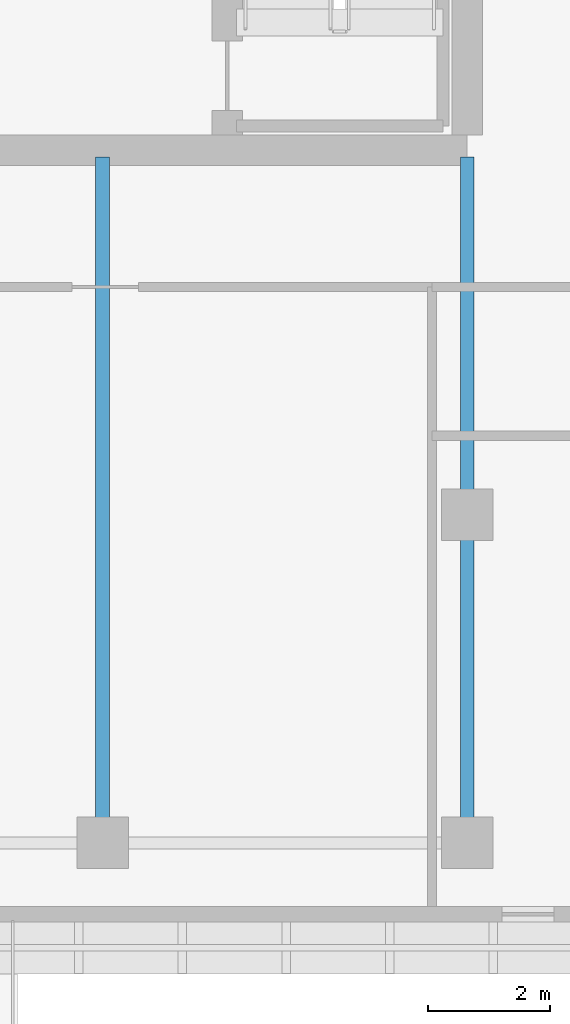
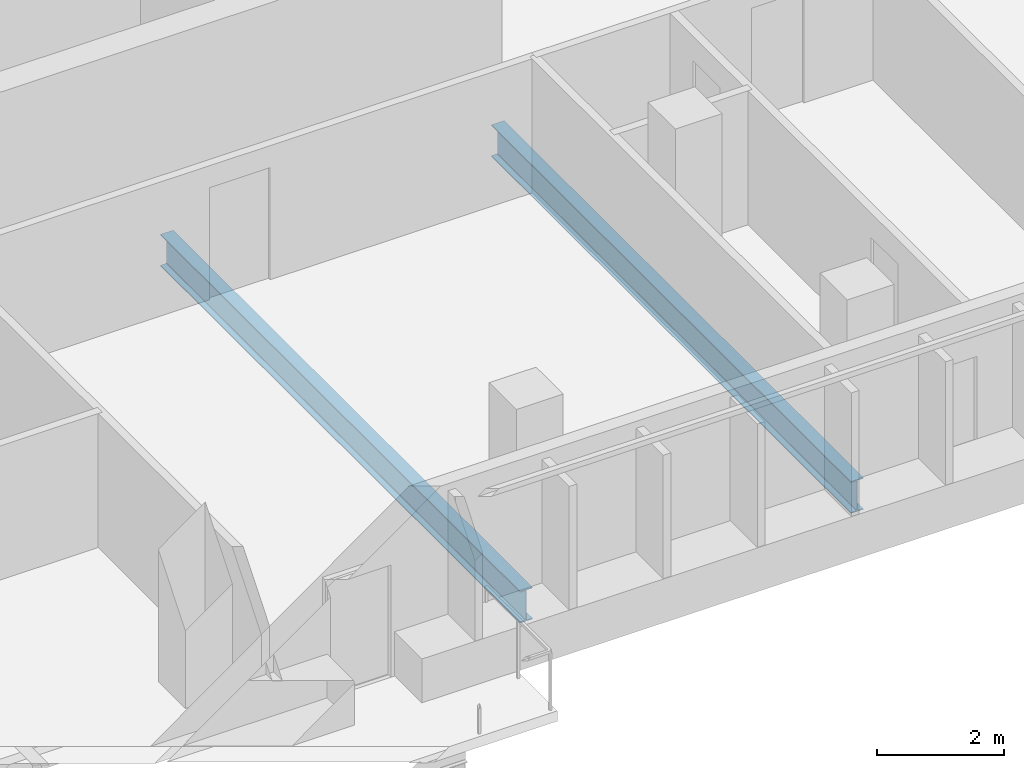
# One storey, part 14 of 31: 2 beams.
"""IFC4 building model written with IfcOpenShell, lengths in metres."""

import ifcopenshell
import ifcopenshell.guid

model = None  # the IFC model being written
_history = None  # IfcOwnerHistory: only IFC2X3 demands one
_inside = {}  # id of a spatial element -> (the spatial element, [elements in it])
_under = {}  # id of a project, library or spatial element -> (it, [spatial elements below it])
_declared = {}  # id of a project -> (the project, [libraries it declares])
_typed = {}  # id of a type object -> (the type object, [elements of that type])
_made_of = {}  # id of a material, layer set ... -> (it, [elements and type objects made of it])


def new_model(schema):
    """Start an empty IFC model of exactly this schema.

    Asked for "IFC4X3", IfcOpenShell would pick the latest addendum, in which some entities
    have other attributes; the version numbers below select the first issue.
    IFC2X3 requires an IfcOwnerHistory on every rooted entity: one is made here for all.
    """
    global model, _history
    if schema == "IFC4X3":
        model = ifcopenshell.file(schema_version=(4, 3, 0, 0))
    else:
        model = ifcopenshell.file(schema=schema)
    _inside.clear()
    _under.clear()
    _declared.clear()
    _typed.clear()
    _made_of.clear()
    _history = None
    if model.schema == "IFC2X3":
        org = make("IfcOrganization", Name="unknown")
        user = make(
            "IfcPersonAndOrganization",
            ThePerson=make("IfcPerson", FamilyName="unknown"),
            TheOrganization=org,
        )
        app = make(
            "IfcApplication",
            ApplicationDeveloper=org,
            Version="unknown",
            ApplicationFullName="unknown",
            ApplicationIdentifier="unknown",
        )
        _history = make(
            "IfcOwnerHistory",
            OwningUser=user,
            OwningApplication=app,
            ChangeAction="ADDED",
            CreationDate=0,
        )
    return model


def make(cls, **values):
    """One entity of the class cls with the attributes given. An attribute that is None is left unset."""
    return model.create_entity(
        cls, **{name: value for name, value in values.items() if value is not None}
    )


def rooted(cls, **values):
    """An entity with a GlobalId (a new one), such as an element, a storey or a relation."""
    return make(cls, GlobalId=ifcopenshell.guid.new(), OwnerHistory=_history, **values)


def si_unit(unit_type, name, prefix=None):
    """IfcSIUnit, for example si_unit("LENGTHUNIT", "METRE", prefix="MILLI")."""
    return make("IfcSIUnit", UnitType=unit_type, Prefix=prefix, Name=name)


def assignment(units):
    """IfcUnitAssignment: the units of a project."""
    return None if units is None else make("IfcUnitAssignment", Units=units)


def point(xyz):
    """IfcCartesianPoint."""
    return None if xyz is None else make("IfcCartesianPoint", Coordinates=xyz)


def direction(xyz):
    """IfcDirection."""
    return None if xyz is None else make("IfcDirection", DirectionRatios=xyz)


def frame(location, z_axis=None, x_axis=None):
    """IfcAxis2Placement3D, a coordinate frame: its origin and axes. An axis left out is left unset."""
    return make(
        "IfcAxis2Placement3D",
        Location=point(location),
        Axis=direction(z_axis),
        RefDirection=direction(x_axis),
    )


def frame_2d(location, x_axis=None):
    """IfcAxis2Placement2D, a coordinate frame in the plane: its origin and x axis."""
    return make(
        "IfcAxis2Placement2D", Location=point(location), RefDirection=direction(x_axis)
    )


def origin():
    """The frame at (0, 0, 0) with its axes left unset."""
    return frame((0.0, 0.0, 0.0))


def origin_2d():
    """The frame at (0, 0) in the plane with its x axis left unset."""
    return frame_2d((0.0, 0.0))


def place(relative_to, where):
    """IfcLocalPlacement: puts the frame where relative to a parent placement (None: the world)."""
    return make(
        "IfcLocalPlacement", PlacementRelTo=relative_to, RelativePlacement=where
    )


def context(
    kind, dimensions, precision=None, world=None, true_north=None, identifier=None
):
    """IfcGeometricRepresentationContext, for example the 3D "Model" context."""
    return make(
        "IfcGeometricRepresentationContext",
        ContextIdentifier=identifier,
        ContextType=kind,
        CoordinateSpaceDimension=dimensions,
        Precision=precision,
        WorldCoordinateSystem=world,
        TrueNorth=true_north,
    )


def subcontext(parent, identifier, kind, view, scale=None):
    """IfcGeometricRepresentationSubContext, for example "Body" below "Model"."""
    return make(
        "IfcGeometricRepresentationSubContext",
        ContextIdentifier=identifier,
        ContextType=kind,
        ParentContext=parent,
        TargetScale=scale,
        TargetView=view,
    )


def project(units=None, contexts=None):
    """IfcProject with its units and contexts."""
    return rooted(
        "IfcProject",
        Name="project",
        RepresentationContexts=contexts,
        UnitsInContext=assignment(units),
    )


def spatial(cls, under=None, at=None, **own):
    """A site, building, storey or space (cls), placed at a placement, below another one or the project."""
    s = rooted(cls, ObjectPlacement=at, **own)
    if under is not None:
        _under.setdefault(under.id(), (under, []))[1].append(s)
    return s


def profile(cls, at=None, kind="AREA", **sizes):
    """A parametric profile (cls). Its sizes go by their IFC names, for example OverallWidth=200.0."""
    return make(cls, ProfileType=kind, Position=at, **sizes)


def i_section(**sizes):
    """IfcIShapeProfileDef."""
    return profile("IfcIShapeProfileDef", **sizes)


def extrude(swept, where, along, depth):
    """IfcExtrudedAreaSolid: the profile swept, set in the frame where, extruded along a direction by depth."""
    return make(
        "IfcExtrudedAreaSolid",
        SweptArea=swept,
        Position=where,
        ExtrudedDirection=direction(along),
        Depth=depth,
    )


def shape(context_of_items, identifier, shape_type, items):
    """IfcShapeRepresentation: the items that make up one representation, for example the "Body"."""
    return make(
        "IfcShapeRepresentation",
        ContextOfItems=context_of_items,
        RepresentationIdentifier=identifier,
        RepresentationType=shape_type,
        Items=items,
    )


def material(Name=None, Category=None):
    """IfcMaterial."""
    return make("IfcMaterial", Name=Name, Category=Category)


def material_profile(
    of_material, cross_section, Name=None, Category=None, Priority=None
):
    """IfcMaterialProfile: a cross section and its material."""
    return make(
        "IfcMaterialProfile",
        Name=Name,
        Material=of_material,
        Profile=cross_section,
        Priority=Priority,
        Category=Category,
    )


def profile_set(profiles, Name=None, composite=None):
    """IfcMaterialProfileSet."""
    return make(
        "IfcMaterialProfileSet",
        Name=Name,
        MaterialProfiles=profiles,
        CompositeProfile=composite,
    )


def made_of(thing, what):
    """Note that an element or type object is made of a material, layer set ...; save() writes the relation."""
    if what is not None:
        _made_of.setdefault(what.id(), (what, []))[1].append(thing)
    return thing


def type_object(cls, material=None, **own):
    """A type object (cls), such as IfcWallType, which elements share."""
    return made_of(rooted(cls, **own), material)


def element(
    cls,
    number,
    at=None,
    inside=None,
    cuts=None,
    type_object=None,
    material=None,
    context=None,
    identifier="Body",
    shape_type=None,
    held_by="IfcProductDefinitionShape",
    body=None,
    shapes=None,
    **own,
):
    """One element of the class cls, such as IfcWall. Its Tag is "e" and its number.

    at: its placement. inside: the storey or other place that contains it. cuts: it is an
    opening in that element (IfcRelVoidsElement). A single representation is given by context,
    identifier, shape_type and body (its items); several are given by shapes. held_by: the class
    of the entity that holds the representations. save() writes the other relations.
    """
    e = rooted(cls, Tag="e%d" % number, ObjectPlacement=at, **own)
    if body is not None:
        shapes = [shape(context, identifier, shape_type, body)]
    if shapes is not None:
        e.Representation = make(held_by, Representations=shapes)
    if inside is not None:
        _inside.setdefault(inside.id(), (inside, []))[1].append(e)
    if cuts is not None:
        rooted(
            "IfcRelVoidsElement", RelatingBuildingElement=cuts, RelatedOpeningElement=e
        )
    if type_object is not None:
        _typed.setdefault(type_object.id(), (type_object, []))[1].append(e)
    return made_of(e, material)


def aggregate(whole, parts):
    """IfcRelAggregates: a whole, such as a stair, and the parts it consists of."""
    return rooted("IfcRelAggregates", RelatingObject=whole, RelatedObjects=parts)


def save(model, path):
    """Write the relations noted so far, then the file.

    IfcRelAggregates (storeys below a building ...), IfcRelContainedInSpatialStructure (elements
    in a storey), IfcRelDefinesByType, IfcRelAssociatesMaterial and IfcRelDeclares: one each for
    every whole, place, type object, material and project.
    """
    for whole, parts in _under.values():
        aggregate(whole, parts)
    for where, things in _inside.values():
        rooted(
            "IfcRelContainedInSpatialStructure",
            RelatedElements=things,
            RelatingStructure=where,
        )
    for kind, things in _typed.values():
        rooted("IfcRelDefinesByType", RelatedObjects=things, RelatingType=kind)
    for what, things in _made_of.values():
        rooted("IfcRelAssociatesMaterial", RelatedObjects=things, RelatingMaterial=what)
    for by, libraries in _declared.values():
        rooted("IfcRelDeclares", RelatingContext=by, RelatedDefinitions=libraries)
    model.write(path)


model = new_model("IFC4")

# Units and contexts
model_context = context("Model", 3, precision=1e-05, world=origin(), true_north=direction((0.0, 1.0)))
body_context = subcontext(model_context, "Body", "Model", "MODEL_VIEW")
ifc_project = project(units=[si_unit("LENGTHUNIT", "METRE"), si_unit("AREAUNIT", "SQUARE_METRE"), si_unit("VOLUMEUNIT", "CUBIC_METRE"), si_unit("PLANEANGLEUNIT", "RADIAN"), si_unit("MASSUNIT", "GRAM", prefix="KILO")], contexts=[model_context])

# Site, building, storey
site_placement = place(None, origin())
site = spatial("IfcSite", under=ifc_project, at=site_placement, CompositionType="ELEMENT")
building_placement = place(site_placement, origin())
building = spatial("IfcBuilding", under=site, at=building_placement, Name="Tanjung Sevakor Pilgrim Tower", CompositionType="ELEMENT")
storey_placement = place(building_placement, frame((0.0, 0.0, 169.2900390625)))
storey = spatial("IfcBuildingStorey", under=building, at=storey_placement, Name="L47", CompositionType="ELEMENT", Elevation=169.2900390625)

# Beams
ifc_material = material(Name="Steel S355J2", Category="steel")
ifc_material_profile = material_profile(ifc_material, i_section(OverallWidth=0.22900390625, OverallDepth=0.6123046875, WebThickness=0.011962890625, FlangeThickness=0.01953125, FilletRadius=0.0126953125, at=origin_2d()))
ifc_profile_set = profile_set([ifc_material_profile], Name="Steel S355J2")
beam_type = type_object("IfcBeamType", Name="BM-B-G4-UB_610x229x125", PredefinedType="BEAM", material=ifc_profile_set)
for number, where, z_axis, x_axis, name in (
    (1, (84.0, 13.199951171875, -0.526123046875), (0.0, 1.0, 0.0), (-1.0, 0.0, 0.0), "L47 MAIN Girder 023"),
    (2, (90.0, 13.199951171875, -0.526123046875), (0.0, 1.0, 0.0), (-1.0, 0.0, 0.0), "L47 MAIN Girder 025"),
):
    element("IfcBeam", number, at=place(storey_placement, frame(where, z_axis=z_axis, x_axis=x_axis)), inside=storey, type_object=beam_type, Name=name, PredefinedType="BEAM", context=body_context, shape_type="SweptSolid", body=[
        extrude(i_section(OverallWidth=0.22900390625, OverallDepth=0.6123046875, WebThickness=0.011962890625, FlangeThickness=0.01953125, FilletRadius=0.0126953125, at=origin_2d()), origin(), (0.0, 0.0, 1.0), 11.284912109375),
    ])

save(model, "model.ifc")
